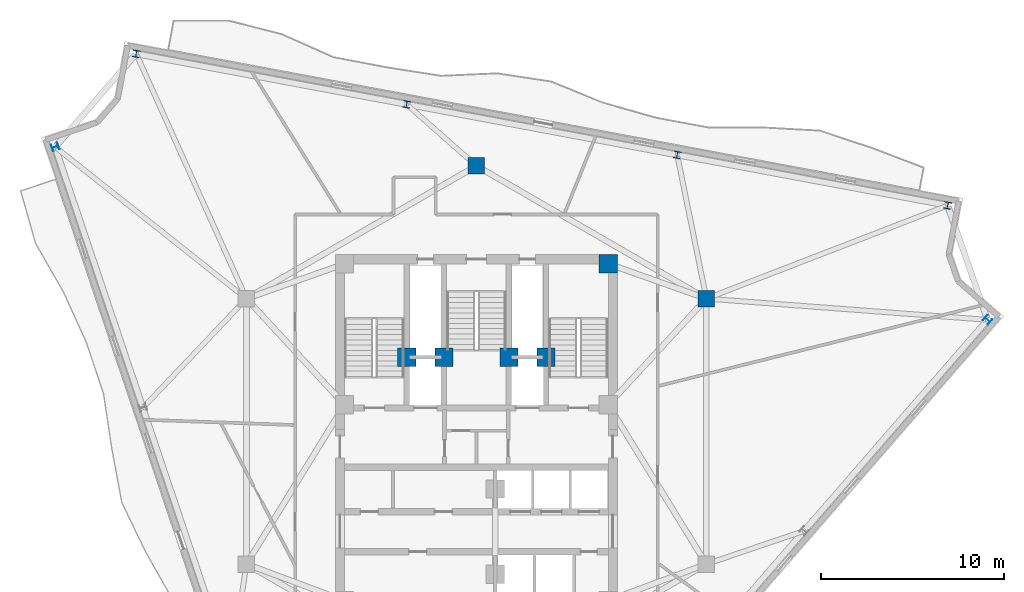
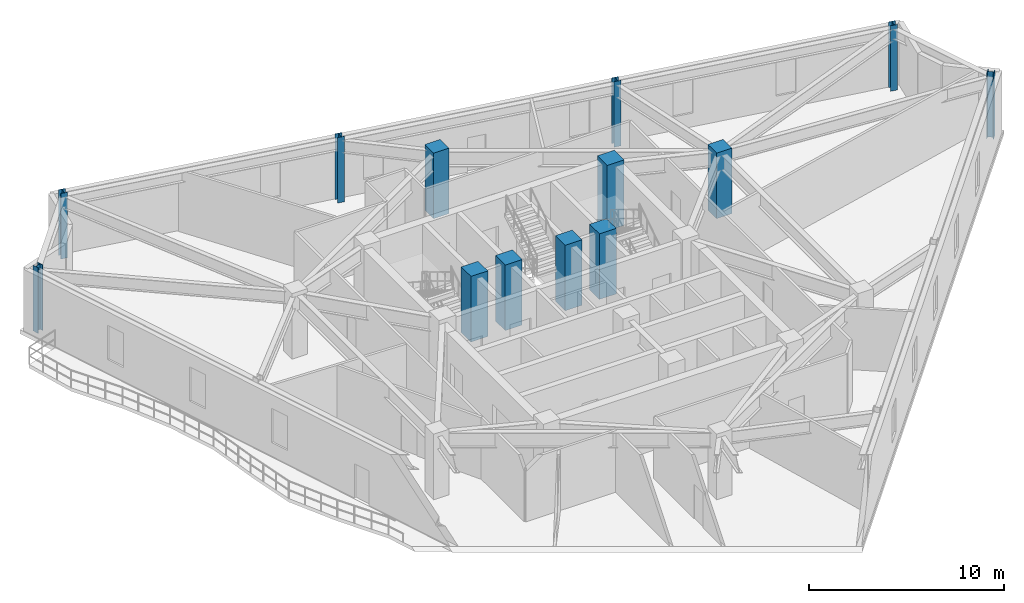
# One storey, part 2 of 9: 13 columns.
"""IFC4 building model written with IfcOpenShell, lengths in metres."""

import ifcopenshell
import ifcopenshell.guid

model = None  # the IFC model being written
_history = None  # IfcOwnerHistory: only IFC2X3 demands one
_inside = {}  # id of a spatial element -> (the spatial element, [elements in it])
_under = {}  # id of a project, library or spatial element -> (it, [spatial elements below it])
_declared = {}  # id of a project -> (the project, [libraries it declares])
_typed = {}  # id of a type object -> (the type object, [elements of that type])
_made_of = {}  # id of a material, layer set ... -> (it, [elements and type objects made of it])


def new_model(schema):
    """Start an empty IFC model of exactly this schema.

    Asked for "IFC4X3", IfcOpenShell would pick the latest addendum, in which some entities
    have other attributes; the version numbers below select the first issue.
    IFC2X3 requires an IfcOwnerHistory on every rooted entity: one is made here for all.
    """
    global model, _history
    if schema == "IFC4X3":
        model = ifcopenshell.file(schema_version=(4, 3, 0, 0))
    else:
        model = ifcopenshell.file(schema=schema)
    _inside.clear()
    _under.clear()
    _declared.clear()
    _typed.clear()
    _made_of.clear()
    _history = None
    if model.schema == "IFC2X3":
        org = make("IfcOrganization", Name="unknown")
        user = make(
            "IfcPersonAndOrganization",
            ThePerson=make("IfcPerson", FamilyName="unknown"),
            TheOrganization=org,
        )
        app = make(
            "IfcApplication",
            ApplicationDeveloper=org,
            Version="unknown",
            ApplicationFullName="unknown",
            ApplicationIdentifier="unknown",
        )
        _history = make(
            "IfcOwnerHistory",
            OwningUser=user,
            OwningApplication=app,
            ChangeAction="ADDED",
            CreationDate=0,
        )
    return model


def make(cls, **values):
    """One entity of the class cls with the attributes given. An attribute that is None is left unset."""
    return model.create_entity(
        cls, **{name: value for name, value in values.items() if value is not None}
    )


def rooted(cls, **values):
    """An entity with a GlobalId (a new one), such as an element, a storey or a relation."""
    return make(cls, GlobalId=ifcopenshell.guid.new(), OwnerHistory=_history, **values)


def si_unit(unit_type, name, prefix=None):
    """IfcSIUnit, for example si_unit("LENGTHUNIT", "METRE", prefix="MILLI")."""
    return make("IfcSIUnit", UnitType=unit_type, Prefix=prefix, Name=name)


def assignment(units):
    """IfcUnitAssignment: the units of a project."""
    return None if units is None else make("IfcUnitAssignment", Units=units)


def point(xyz):
    """IfcCartesianPoint."""
    return None if xyz is None else make("IfcCartesianPoint", Coordinates=xyz)


def direction(xyz):
    """IfcDirection."""
    return None if xyz is None else make("IfcDirection", DirectionRatios=xyz)


def frame(location, z_axis=None, x_axis=None):
    """IfcAxis2Placement3D, a coordinate frame: its origin and axes. An axis left out is left unset."""
    return make(
        "IfcAxis2Placement3D",
        Location=point(location),
        Axis=direction(z_axis),
        RefDirection=direction(x_axis),
    )


def frame_2d(location, x_axis=None):
    """IfcAxis2Placement2D, a coordinate frame in the plane: its origin and x axis."""
    return make(
        "IfcAxis2Placement2D", Location=point(location), RefDirection=direction(x_axis)
    )


def origin():
    """The frame at (0, 0, 0) with its axes left unset."""
    return frame((0.0, 0.0, 0.0))


def origin_2d():
    """The frame at (0, 0) in the plane with its x axis left unset."""
    return frame_2d((0.0, 0.0))


def place(relative_to, where):
    """IfcLocalPlacement: puts the frame where relative to a parent placement (None: the world)."""
    return make(
        "IfcLocalPlacement", PlacementRelTo=relative_to, RelativePlacement=where
    )


def context(
    kind, dimensions, precision=None, world=None, true_north=None, identifier=None
):
    """IfcGeometricRepresentationContext, for example the 3D "Model" context."""
    return make(
        "IfcGeometricRepresentationContext",
        ContextIdentifier=identifier,
        ContextType=kind,
        CoordinateSpaceDimension=dimensions,
        Precision=precision,
        WorldCoordinateSystem=world,
        TrueNorth=true_north,
    )


def subcontext(parent, identifier, kind, view, scale=None):
    """IfcGeometricRepresentationSubContext, for example "Body" below "Model"."""
    return make(
        "IfcGeometricRepresentationSubContext",
        ContextIdentifier=identifier,
        ContextType=kind,
        ParentContext=parent,
        TargetScale=scale,
        TargetView=view,
    )


def project(units=None, contexts=None):
    """IfcProject with its units and contexts."""
    return rooted(
        "IfcProject",
        Name="project",
        RepresentationContexts=contexts,
        UnitsInContext=assignment(units),
    )


def spatial(cls, under=None, at=None, **own):
    """A site, building, storey or space (cls), placed at a placement, below another one or the project."""
    s = rooted(cls, ObjectPlacement=at, **own)
    if under is not None:
        _under.setdefault(under.id(), (under, []))[1].append(s)
    return s


def profile(cls, at=None, kind="AREA", **sizes):
    """A parametric profile (cls). Its sizes go by their IFC names, for example OverallWidth=200.0."""
    return make(cls, ProfileType=kind, Position=at, **sizes)


def rectangle(**sizes):
    """IfcRectangleProfileDef."""
    return profile("IfcRectangleProfileDef", **sizes)


def i_section(**sizes):
    """IfcIShapeProfileDef."""
    return profile("IfcIShapeProfileDef", **sizes)


def extrude(swept, where, along, depth):
    """IfcExtrudedAreaSolid: the profile swept, set in the frame where, extruded along a direction by depth."""
    return make(
        "IfcExtrudedAreaSolid",
        SweptArea=swept,
        Position=where,
        ExtrudedDirection=direction(along),
        Depth=depth,
    )


def shape(context_of_items, identifier, shape_type, items):
    """IfcShapeRepresentation: the items that make up one representation, for example the "Body"."""
    return make(
        "IfcShapeRepresentation",
        ContextOfItems=context_of_items,
        RepresentationIdentifier=identifier,
        RepresentationType=shape_type,
        Items=items,
    )


def material(Name=None, Category=None):
    """IfcMaterial."""
    return make("IfcMaterial", Name=Name, Category=Category)


def material_profile(
    of_material, cross_section, Name=None, Category=None, Priority=None
):
    """IfcMaterialProfile: a cross section and its material."""
    return make(
        "IfcMaterialProfile",
        Name=Name,
        Material=of_material,
        Profile=cross_section,
        Priority=Priority,
        Category=Category,
    )


def profile_set(profiles, Name=None, composite=None):
    """IfcMaterialProfileSet."""
    return make(
        "IfcMaterialProfileSet",
        Name=Name,
        MaterialProfiles=profiles,
        CompositeProfile=composite,
    )


def made_of(thing, what):
    """Note that an element or type object is made of a material, layer set ...; save() writes the relation."""
    if what is not None:
        _made_of.setdefault(what.id(), (what, []))[1].append(thing)
    return thing


def type_object(cls, material=None, **own):
    """A type object (cls), such as IfcWallType, which elements share."""
    return made_of(rooted(cls, **own), material)


def element(
    cls,
    number,
    at=None,
    inside=None,
    cuts=None,
    type_object=None,
    material=None,
    context=None,
    identifier="Body",
    shape_type=None,
    held_by="IfcProductDefinitionShape",
    body=None,
    shapes=None,
    **own,
):
    """One element of the class cls, such as IfcWall. Its Tag is "e" and its number.

    at: its placement. inside: the storey or other place that contains it. cuts: it is an
    opening in that element (IfcRelVoidsElement). A single representation is given by context,
    identifier, shape_type and body (its items); several are given by shapes. held_by: the class
    of the entity that holds the representations. save() writes the other relations.
    """
    e = rooted(cls, Tag="e%d" % number, ObjectPlacement=at, **own)
    if body is not None:
        shapes = [shape(context, identifier, shape_type, body)]
    if shapes is not None:
        e.Representation = make(held_by, Representations=shapes)
    if inside is not None:
        _inside.setdefault(inside.id(), (inside, []))[1].append(e)
    if cuts is not None:
        rooted(
            "IfcRelVoidsElement", RelatingBuildingElement=cuts, RelatedOpeningElement=e
        )
    if type_object is not None:
        _typed.setdefault(type_object.id(), (type_object, []))[1].append(e)
    return made_of(e, material)


def aggregate(whole, parts):
    """IfcRelAggregates: a whole, such as a stair, and the parts it consists of."""
    return rooted("IfcRelAggregates", RelatingObject=whole, RelatedObjects=parts)


def save(model, path):
    """Write the relations noted so far, then the file.

    IfcRelAggregates (storeys below a building ...), IfcRelContainedInSpatialStructure (elements
    in a storey), IfcRelDefinesByType, IfcRelAssociatesMaterial and IfcRelDeclares: one each for
    every whole, place, type object, material and project.
    """
    for whole, parts in _under.values():
        aggregate(whole, parts)
    for where, things in _inside.values():
        rooted(
            "IfcRelContainedInSpatialStructure",
            RelatedElements=things,
            RelatingStructure=where,
        )
    for kind, things in _typed.values():
        rooted("IfcRelDefinesByType", RelatedObjects=things, RelatingType=kind)
    for what, things in _made_of.values():
        rooted("IfcRelAssociatesMaterial", RelatedObjects=things, RelatingMaterial=what)
    for by, libraries in _declared.values():
        rooted("IfcRelDeclares", RelatingContext=by, RelatedDefinitions=libraries)
    model.write(path)


model = new_model("IFC4")

# Units and contexts
model_context = context("Model", 3, precision=1e-05, world=origin(), true_north=direction((0.0, 1.0)))
body_context = subcontext(model_context, "Body", "Model", "MODEL_VIEW")
ifc_project = project(units=[si_unit("LENGTHUNIT", "METRE"), si_unit("AREAUNIT", "SQUARE_METRE"), si_unit("VOLUMEUNIT", "CUBIC_METRE"), si_unit("PLANEANGLEUNIT", "RADIAN"), si_unit("MASSUNIT", "GRAM", prefix="KILO")], contexts=[model_context])

# Site, building, storey
site_placement = place(None, origin())
site = spatial("IfcSite", under=ifc_project, at=site_placement, CompositionType="ELEMENT")
building_placement = place(site_placement, origin())
building = spatial("IfcBuilding", under=site, at=building_placement, Name="Apsidion Concourse Tower", CompositionType="ELEMENT")
storey_placement = place(building_placement, frame((0.0, 0.0, 277.800048828125)))
storey = spatial("IfcBuildingStorey", under=building, at=storey_placement, Name="L65", CompositionType="ELEMENT", Elevation=277.800048828125)

# Columns
ifc_material_1 = material(Name="Concrete C50/60", Category="concrete")
ifc_material_profile_1 = material_profile(ifc_material_1, rectangle(XDim=1.0, YDim=1.0, at=origin_2d()), Name="RC 1000x1000")
ifc_profile_set_1 = profile_set([ifc_material_profile_1], Name="Concrete C50/60")
column_type_1 = type_object("IfcColumnType", Name="COL-RC-1000", PredefinedType="COLUMN", material=ifc_profile_set_1)
for number, where, z_axis, x_axis, name in (
    (1, (7.199951171875, 9.14990234375, 0.0), (0.0, 0.0, 1.0), (1.0, 0.0, 0.0), "L65 Core Super-Column SC4"),
    (2, (-3.800048828125, 4.050048828125, 0.0), (0.0, 0.0, 1.0), (1.0, 0.0, 0.0), "L65 Core Super-Column CC1"),
    (3, (3.800048828125, 4.050048828125, 0.0), (0.0, 0.0, 1.0), (1.0, 0.0, 0.0), "L65 Core Super-Column CC2"),
    (4, (-1.77490234375, 4.050048828125, 0.0), (0.0, 0.0, 1.0), (1.0, 0.0, 0.0), "L65 Core Super-Column CC3"),
    (5, (1.77490234375, 4.050048828125, 0.0), (0.0, 0.0, 1.0), (1.0, 0.0, 0.0), "L65 Core Super-Column CC4"),
):
    element("IfcColumn", number, at=place(storey_placement, frame(where, z_axis=z_axis, x_axis=x_axis)), inside=storey, type_object=column_type_1, Name=name, PredefinedType="COLUMN", context=body_context, shape_type="SweptSolid", body=[
        extrude(rectangle(XDim=1.0, YDim=1.0, at=origin_2d()), origin(), (0.0, 0.0, 1.0), 4.099853515625),
    ])
ifc_material_profile_2 = material_profile(ifc_material_1, rectangle(XDim=0.89990234375, YDim=0.89990234375, at=origin_2d()), Name="RC 900x900")
ifc_profile_set_2 = profile_set([ifc_material_profile_2], Name="Concrete C50/60")
column_type_2 = type_object("IfcColumnType", Name="COL-RC-900", PredefinedType="COLUMN", material=ifc_profile_set_2)
for number, where, z_axis, x_axis, name in (
    (6, (12.56005859375, 7.25, 0.0), (0.0, 0.0, 1.0), (1.0, 0.0, 0.0), "L65 Interior Spine Column IC3"),
    (7, (0.0, 14.5, 0.0), (0.0, 0.0, 1.0), (1.0, 0.0, 0.0), "L65 Interior Spine Column IC4"),
):
    element("IfcColumn", number, at=place(storey_placement, frame(where, z_axis=z_axis, x_axis=x_axis)), inside=storey, type_object=column_type_2, Name=name, PredefinedType="COLUMN", context=body_context, shape_type="SweptSolid", body=[
        extrude(rectangle(XDim=0.89990234375, YDim=0.89990234375, at=origin_2d()), origin(), (0.0, 0.0, 1.0), 4.099853515625),
    ])
ifc_material_2 = material(Name="Structural steel ASTM A992 Grade 50", Category="steel")
ifc_material_profile_3 = material_profile(ifc_material_2, i_section(OverallWidth=0.373046875, OverallDepth=0.373046875, WebThickness=0.016357421875, FlangeThickness=0.026123046875, at=origin_2d()), Name="W14X132")
ifc_profile_set_3 = profile_set([ifc_material_profile_3], Name="Structural steel ASTM A992 Grade 50")
column_type_3 = type_object("IfcColumnType", Name="COL-W14-132", PredefinedType="COLUMN", material=ifc_profile_set_3)
for number, where, z_axis, x_axis, name in (
    (8, (-23.00439453125, 15.53125, 0.0), (0.0, 0.0, 1.0), (-0.318628456287, 0.947879690069, 0.0), "L65 Rotated Perimeter Column PC01"),
    (9, (27.91455078125, 6.091064453125, 0.0), (0.0, 0.0, 1.0), (0.656059028991, 0.754709580223, 0.0), "L65 Rotated Perimeter Column PC08"),
    (10, (25.73779296875, 12.33837890625, 0.0), (0.0, 0.0, 1.0), (-0.982999500399, 0.183608230249, 0.0), "L65 Rotated Perimeter Column PC09"),
    (11, (10.964599609375, 15.0986328125, 0.0), (0.0, 0.0, 1.0), (-0.982999500399, 0.183608230249, 0.0), "L65 Rotated Perimeter Column PC10"),
    (12, (-3.80859375, 17.85888671875, 0.0), (0.0, 0.0, 1.0), (-0.982999500399, 0.183608230249, 0.0), "L65 Rotated Perimeter Column PC11"),
    (13, (-18.58154296875, 20.619140625, 0.0), (0.0, 0.0, 1.0), (-0.982999500399, 0.183608230249, 0.0), "L65 Rotated Perimeter Column PC12"),
):
    element("IfcColumn", number, at=place(storey_placement, frame(where, z_axis=z_axis, x_axis=x_axis)), inside=storey, type_object=column_type_3, Name=name, PredefinedType="COLUMN", context=body_context, shape_type="SweptSolid", body=[
        extrude(i_section(OverallWidth=0.373046875, OverallDepth=0.373046875, WebThickness=0.016357421875, FlangeThickness=0.026123046875, at=origin_2d()), origin(), (0.0, 0.0, 1.0), 4.099853515625),
    ])

save(model, "model.ifc")
